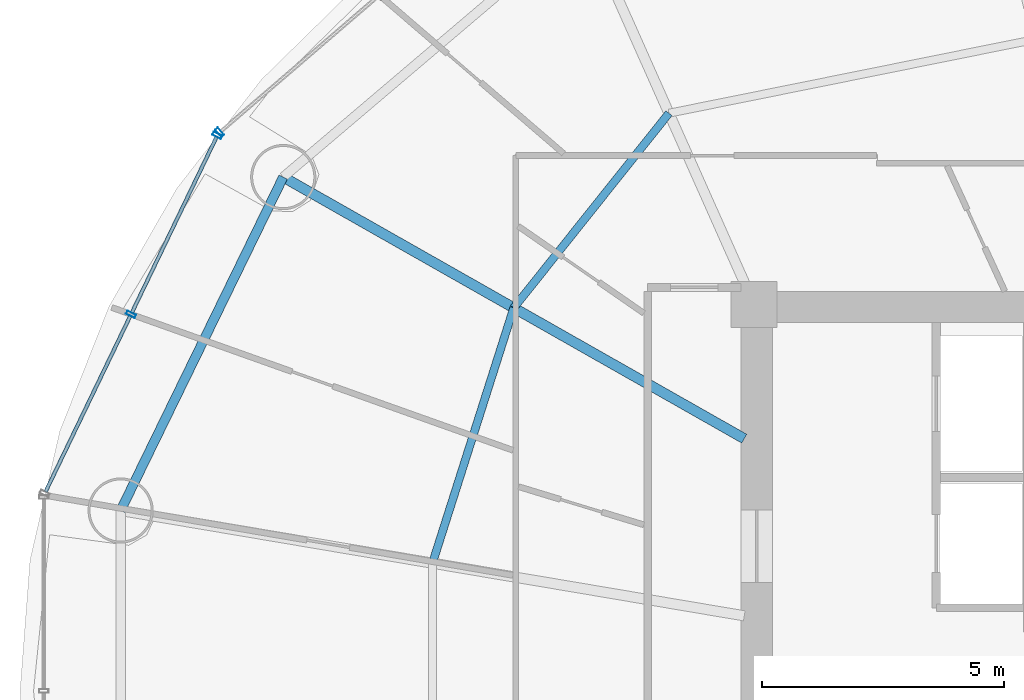
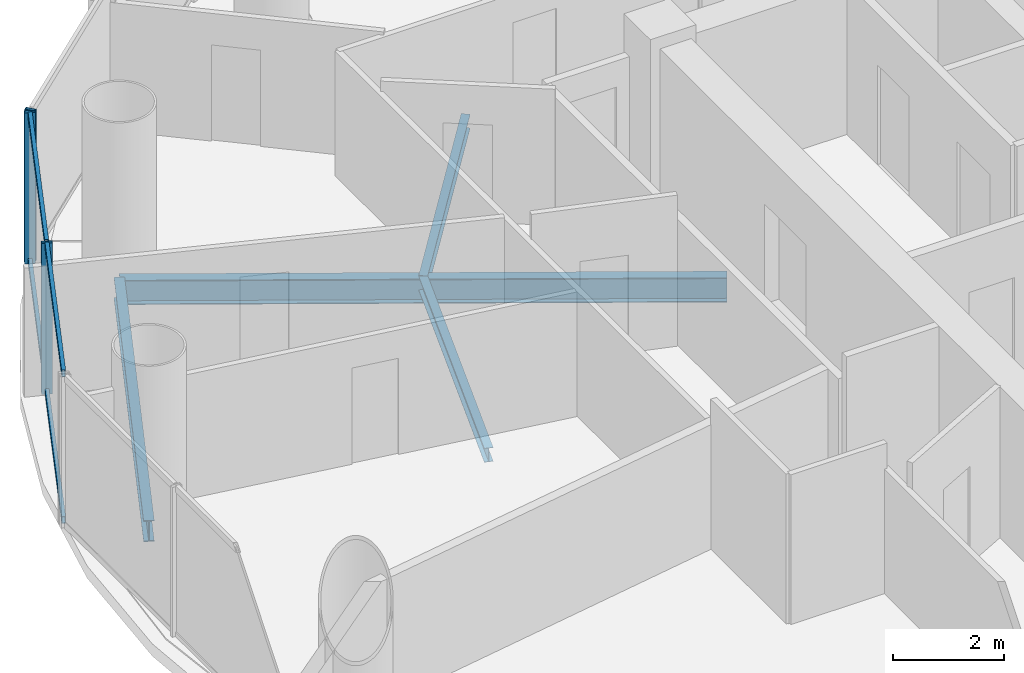
# One storey, part 8 of 26: 7 members, 4 beams, 2 elements without a shape of their own.
"""IFC4 building model written with IfcOpenShell, lengths in metres."""

import ifcopenshell
import ifcopenshell.guid

model = None  # the IFC model being written
_history = None  # IfcOwnerHistory: only IFC2X3 demands one
_inside = {}  # id of a spatial element -> (the spatial element, [elements in it])
_under = {}  # id of a project, library or spatial element -> (it, [spatial elements below it])
_declared = {}  # id of a project -> (the project, [libraries it declares])
_typed = {}  # id of a type object -> (the type object, [elements of that type])
_made_of = {}  # id of a material, layer set ... -> (it, [elements and type objects made of it])


def new_model(schema):
    """Start an empty IFC model of exactly this schema.

    Asked for "IFC4X3", IfcOpenShell would pick the latest addendum, in which some entities
    have other attributes; the version numbers below select the first issue.
    IFC2X3 requires an IfcOwnerHistory on every rooted entity: one is made here for all.
    """
    global model, _history
    if schema == "IFC4X3":
        model = ifcopenshell.file(schema_version=(4, 3, 0, 0))
    else:
        model = ifcopenshell.file(schema=schema)
    _inside.clear()
    _under.clear()
    _declared.clear()
    _typed.clear()
    _made_of.clear()
    _history = None
    if model.schema == "IFC2X3":
        org = make("IfcOrganization", Name="unknown")
        user = make(
            "IfcPersonAndOrganization",
            ThePerson=make("IfcPerson", FamilyName="unknown"),
            TheOrganization=org,
        )
        app = make(
            "IfcApplication",
            ApplicationDeveloper=org,
            Version="unknown",
            ApplicationFullName="unknown",
            ApplicationIdentifier="unknown",
        )
        _history = make(
            "IfcOwnerHistory",
            OwningUser=user,
            OwningApplication=app,
            ChangeAction="ADDED",
            CreationDate=0,
        )
    return model


def make(cls, **values):
    """One entity of the class cls with the attributes given. An attribute that is None is left unset."""
    return model.create_entity(
        cls, **{name: value for name, value in values.items() if value is not None}
    )


def rooted(cls, **values):
    """An entity with a GlobalId (a new one), such as an element, a storey or a relation."""
    return make(cls, GlobalId=ifcopenshell.guid.new(), OwnerHistory=_history, **values)


def si_unit(unit_type, name, prefix=None):
    """IfcSIUnit, for example si_unit("LENGTHUNIT", "METRE", prefix="MILLI")."""
    return make("IfcSIUnit", UnitType=unit_type, Prefix=prefix, Name=name)


def assignment(units):
    """IfcUnitAssignment: the units of a project."""
    return None if units is None else make("IfcUnitAssignment", Units=units)


def point(xyz):
    """IfcCartesianPoint."""
    return None if xyz is None else make("IfcCartesianPoint", Coordinates=xyz)


def direction(xyz):
    """IfcDirection."""
    return None if xyz is None else make("IfcDirection", DirectionRatios=xyz)


def frame(location, z_axis=None, x_axis=None):
    """IfcAxis2Placement3D, a coordinate frame: its origin and axes. An axis left out is left unset."""
    return make(
        "IfcAxis2Placement3D",
        Location=point(location),
        Axis=direction(z_axis),
        RefDirection=direction(x_axis),
    )


def frame_2d(location, x_axis=None):
    """IfcAxis2Placement2D, a coordinate frame in the plane: its origin and x axis."""
    return make(
        "IfcAxis2Placement2D", Location=point(location), RefDirection=direction(x_axis)
    )


def origin():
    """The frame at (0, 0, 0) with its axes left unset."""
    return frame((0.0, 0.0, 0.0))


def origin_2d():
    """The frame at (0, 0) in the plane with its x axis left unset."""
    return frame_2d((0.0, 0.0))


def place(relative_to, where):
    """IfcLocalPlacement: puts the frame where relative to a parent placement (None: the world)."""
    return make(
        "IfcLocalPlacement", PlacementRelTo=relative_to, RelativePlacement=where
    )


def context(
    kind, dimensions, precision=None, world=None, true_north=None, identifier=None
):
    """IfcGeometricRepresentationContext, for example the 3D "Model" context."""
    return make(
        "IfcGeometricRepresentationContext",
        ContextIdentifier=identifier,
        ContextType=kind,
        CoordinateSpaceDimension=dimensions,
        Precision=precision,
        WorldCoordinateSystem=world,
        TrueNorth=true_north,
    )


def subcontext(parent, identifier, kind, view, scale=None):
    """IfcGeometricRepresentationSubContext, for example "Body" below "Model"."""
    return make(
        "IfcGeometricRepresentationSubContext",
        ContextIdentifier=identifier,
        ContextType=kind,
        ParentContext=parent,
        TargetScale=scale,
        TargetView=view,
    )


def project(units=None, contexts=None):
    """IfcProject with its units and contexts."""
    return rooted(
        "IfcProject",
        Name="project",
        RepresentationContexts=contexts,
        UnitsInContext=assignment(units),
    )


def spatial(cls, under=None, at=None, **own):
    """A site, building, storey or space (cls), placed at a placement, below another one or the project."""
    s = rooted(cls, ObjectPlacement=at, **own)
    if under is not None:
        _under.setdefault(under.id(), (under, []))[1].append(s)
    return s


def profile(cls, at=None, kind="AREA", **sizes):
    """A parametric profile (cls). Its sizes go by their IFC names, for example OverallWidth=200.0."""
    return make(cls, ProfileType=kind, Position=at, **sizes)


def hollow_rectangle(**sizes):
    """IfcRectangleHollowProfileDef."""
    return profile("IfcRectangleHollowProfileDef", **sizes)


def i_section(**sizes):
    """IfcIShapeProfileDef."""
    return profile("IfcIShapeProfileDef", **sizes)


def extrude(swept, where, along, depth):
    """IfcExtrudedAreaSolid: the profile swept, set in the frame where, extruded along a direction by depth."""
    return make(
        "IfcExtrudedAreaSolid",
        SweptArea=swept,
        Position=where,
        ExtrudedDirection=direction(along),
        Depth=depth,
    )


def shape(context_of_items, identifier, shape_type, items):
    """IfcShapeRepresentation: the items that make up one representation, for example the "Body"."""
    return make(
        "IfcShapeRepresentation",
        ContextOfItems=context_of_items,
        RepresentationIdentifier=identifier,
        RepresentationType=shape_type,
        Items=items,
    )


def source(mapping_origin, context_of_items, identifier, shape_type, items):
    """IfcRepresentationMap: a shape defined once, which mapped items show again and again."""
    return make(
        "IfcRepresentationMap",
        MappingOrigin=mapping_origin,
        MappedRepresentation=shape(context_of_items, identifier, shape_type, items),
    )


def transform(
    local_origin,
    x_axis=None,
    y_axis=None,
    z_axis=None,
    scale=None,
    scale2=None,
    scale3=None,
    uniform=True,
):
    """IfcCartesianTransformationOperator3D, or its non-uniform kind. x_axis, y_axis, z_axis: its Axis1, 2, 3."""
    if uniform:
        return make(
            "IfcCartesianTransformationOperator3D",
            Axis1=direction(x_axis),
            Axis2=direction(y_axis),
            LocalOrigin=point(local_origin),
            Scale=scale,
            Axis3=direction(z_axis),
        )
    return make(
        "IfcCartesianTransformationOperator3DnonUniform",
        Axis1=direction(x_axis),
        Axis2=direction(y_axis),
        LocalOrigin=point(local_origin),
        Scale=scale,
        Axis3=direction(z_axis),
        Scale2=scale2,
        Scale3=scale3,
    )


def mapped(mapping_source, mapping_target):
    """IfcMappedItem: shows the shape of a source again, moved by a transform."""
    return make(
        "IfcMappedItem", MappingSource=mapping_source, MappingTarget=mapping_target
    )


def material(Name=None, Category=None):
    """IfcMaterial."""
    return make("IfcMaterial", Name=Name, Category=Category)


def material_profile(
    of_material, cross_section, Name=None, Category=None, Priority=None
):
    """IfcMaterialProfile: a cross section and its material."""
    return make(
        "IfcMaterialProfile",
        Name=Name,
        Material=of_material,
        Profile=cross_section,
        Priority=Priority,
        Category=Category,
    )


def profile_set(profiles, Name=None, composite=None):
    """IfcMaterialProfileSet."""
    return make(
        "IfcMaterialProfileSet",
        Name=Name,
        MaterialProfiles=profiles,
        CompositeProfile=composite,
    )


def made_of(thing, what):
    """Note that an element or type object is made of a material, layer set ...; save() writes the relation."""
    if what is not None:
        _made_of.setdefault(what.id(), (what, []))[1].append(thing)
    return thing


def type_object(cls, material=None, **own):
    """A type object (cls), such as IfcWallType, which elements share."""
    return made_of(rooted(cls, **own), material)


def element(
    cls,
    number,
    at=None,
    inside=None,
    cuts=None,
    type_object=None,
    material=None,
    context=None,
    identifier="Body",
    shape_type=None,
    held_by="IfcProductDefinitionShape",
    body=None,
    shapes=None,
    **own,
):
    """One element of the class cls, such as IfcWall. Its Tag is "e" and its number.

    at: its placement. inside: the storey or other place that contains it. cuts: it is an
    opening in that element (IfcRelVoidsElement). A single representation is given by context,
    identifier, shape_type and body (its items); several are given by shapes. held_by: the class
    of the entity that holds the representations. save() writes the other relations.
    """
    e = rooted(cls, Tag="e%d" % number, ObjectPlacement=at, **own)
    if body is not None:
        shapes = [shape(context, identifier, shape_type, body)]
    if shapes is not None:
        e.Representation = make(held_by, Representations=shapes)
    if inside is not None:
        _inside.setdefault(inside.id(), (inside, []))[1].append(e)
    if cuts is not None:
        rooted(
            "IfcRelVoidsElement", RelatingBuildingElement=cuts, RelatedOpeningElement=e
        )
    if type_object is not None:
        _typed.setdefault(type_object.id(), (type_object, []))[1].append(e)
    return made_of(e, material)


def aggregate(whole, parts):
    """IfcRelAggregates: a whole, such as a stair, and the parts it consists of."""
    return rooted("IfcRelAggregates", RelatingObject=whole, RelatedObjects=parts)


def save(model, path):
    """Write the relations noted so far, then the file.

    IfcRelAggregates (storeys below a building ...), IfcRelContainedInSpatialStructure (elements
    in a storey), IfcRelDefinesByType, IfcRelAssociatesMaterial and IfcRelDeclares: one each for
    every whole, place, type object, material and project.
    """
    for whole, parts in _under.values():
        aggregate(whole, parts)
    for where, things in _inside.values():
        rooted(
            "IfcRelContainedInSpatialStructure",
            RelatedElements=things,
            RelatingStructure=where,
        )
    for kind, things in _typed.values():
        rooted("IfcRelDefinesByType", RelatedObjects=things, RelatingType=kind)
    for what, things in _made_of.values():
        rooted("IfcRelAssociatesMaterial", RelatedObjects=things, RelatingMaterial=what)
    for by, libraries in _declared.values():
        rooted("IfcRelDeclares", RelatingContext=by, RelatedDefinitions=libraries)
    model.write(path)


model = new_model("IFC4")

# Units and contexts
model_context = context("Model", 3, precision=1e-05, world=origin(), true_north=direction((-0.2419218956, 0.970295726276)))
body_context = subcontext(model_context, "Body", "Model", "MODEL_VIEW")
ifc_project = project(units=[si_unit("LENGTHUNIT", "METRE"), si_unit("AREAUNIT", "SQUARE_METRE"), si_unit("VOLUMEUNIT", "CUBIC_METRE"), si_unit("PLANEANGLEUNIT", "RADIAN"), si_unit("MASSUNIT", "GRAM", prefix="KILO")], contexts=[model_context])

# Site, building, storey
site_placement = place(None, origin())
site = spatial("IfcSite", under=ifc_project, at=site_placement, CompositionType="ELEMENT")
building_placement = place(site_placement, origin())
building = spatial("IfcBuilding", under=site, at=building_placement, Name="Cobrevalo Terracotta Tower", CompositionType="ELEMENT")
storey_placement = place(building_placement, frame((0.0, 0.0, 139.0)))
storey = spatial("IfcBuildingStorey", under=building, at=storey_placement, Name="L36", CompositionType="ELEMENT", Elevation=139.0)

# Beams
ifc_material_1 = material(Name="Steel S355", Category="steel")
ifc_material_profile_1 = material_profile(ifc_material_1, i_section(OverallWidth=0.2109375, OverallDepth=0.5390625, WebThickness=0.01171875, FlangeThickness=0.018798828125, at=origin_2d()), Name="W 530x109")
ifc_profile_set_1 = profile_set([ifc_material_profile_1], Name="Steel S355")
beam_type_1 = type_object("IfcBeamType", Name="Structural Beam W 530x109 (Steel S355)", PredefinedType="BEAM", material=ifc_profile_set_1)
beam_1_placement = place(storey_placement, frame((19.250244140625, 37.439208984375, -0.53955078125), z_axis=(0.869734177783, -0.493520475762, 0.0), x_axis=(0.493520475762, 0.869734177783, 0.0)))
element("IfcBeam", 1, at=beam_1_placement, inside=storey, type_object=beam_type_1, Name="L36 radial floor girder 07", PredefinedType="BEAM", context=body_context, shape_type="SweptSolid", body=[
    extrude(i_section(OverallWidth=0.2109375, OverallDepth=0.5390625, WebThickness=0.01171875, FlangeThickness=0.018798828125, at=origin_2d()), origin(), (0.0, 0.0, 1.0), 10.974365234375),
])
ifc_material_profile_2 = material_profile(ifc_material_1, i_section(OverallWidth=0.1650390625, OverallDepth=0.31005859375, WebThickness=0.005859375, FlangeThickness=0.009765625, at=origin_2d()), Name="W 310x38.7")
ifc_profile_set_2 = profile_set([ifc_material_profile_2], Name="Steel S355")
beam_type_2 = type_object("IfcBeamType", Name="Structural Joist W 310x38.7 (Steel S355)", PredefinedType="JOIST", material=ifc_profile_set_2)
beam_2_placement = place(storey_placement, frame((27.23583984375, 38.76123046875, -0.425048828125), z_axis=(-0.62340602772, -0.781898282773, 0.0), x_axis=(0.781898282773, -0.62340602772, 0.0)))
element("IfcBeam", 2, at=beam_2_placement, inside=storey, type_object=beam_type_2, Name="L36 circumferential secondary floor joist 06", PredefinedType="JOIST", context=body_context, shape_type="SweptSolid", body=[
    extrude(i_section(OverallWidth=0.1650390625, OverallDepth=0.31005859375, WebThickness=0.005859375, FlangeThickness=0.009765625, at=origin_2d()), origin(), (0.0, 0.0, 1.0), 5.154052734375),
])
beam_3_placement = place(storey_placement, frame((24.022705078125, 34.731201171875, -0.425048828125), z_axis=(-0.303497928386, -0.952832098255, 0.0), x_axis=(0.952832098255, -0.303497928386, 0.0)))
element("IfcBeam", 3, at=beam_3_placement, inside=storey, type_object=beam_type_2, Name="L36 circumferential secondary floor joist 07", PredefinedType="JOIST", context=body_context, shape_type="SweptSolid", body=[
    extrude(i_section(OverallWidth=0.1650390625, OverallDepth=0.31005859375, WebThickness=0.005859375, FlangeThickness=0.009765625, at=origin_2d()), origin(), (0.0, 0.0, 1.0), 5.54736328125),
])
ifc_material_profile_3 = material_profile(ifc_material_1, i_section(OverallWidth=0.194091796875, OverallDepth=0.468994140625, WebThickness=0.011474609375, FlangeThickness=0.0205078125, at=origin_2d()), Name="W 460x106")
ifc_profile_set_3 = profile_set([ifc_material_profile_3], Name="Steel S355")
beam_type_3 = type_object("IfcBeamType", Name="Structural Spandrel W 460x106 (Steel S355)", PredefinedType="SPANDREL", material=ifc_profile_set_3)
beam_4_placement = place(storey_placement, frame((19.250244140625, 37.439208984375, -0.50439453125), z_axis=(-0.438367894028, -0.89879563277, 0.0), x_axis=(0.89879563277, -0.438367894028, 0.0)))
element("IfcBeam", 4, at=beam_4_placement, inside=storey, type_object=beam_type_3, Name="L36 perimeter ring spandrel 07", PredefinedType="SPANDREL", context=body_context, shape_type="SweptSolid", body=[
    extrude(i_section(OverallWidth=0.194091796875, OverallDepth=0.468994140625, WebThickness=0.011474609375, FlangeThickness=0.0205078125, at=origin_2d()), origin(), (0.0, 0.0, 1.0), 7.6806640625),
])

# Curtain wall, member
ifc_material_2 = material(Name="Anodized aluminium", Category="aluminium")
curtain_wall_type = type_object("IfcCurtainWallType", Name="Mid-tower high-wind unitised curtain wall CW-U2", PredefinedType="NOTDEFINED", material=ifc_material_2)
curtain_wall_1_placement = place(storey_placement, origin())
curtain_wall_1 = element("IfcCurtainWall", 5, at=curtain_wall_1_placement, inside=storey, type_object=curtain_wall_type, Name="L36 curtain wall CW-L36-S06", PredefinedType="NOTDEFINED")
ifc_material_profile_4 = material_profile(ifc_material_2, hollow_rectangle(XDim=0.074951171875, YDim=0.199951171875, WallThickness=0.0048828125, at=origin_2d()), Name="CWM 75x200")
ifc_profile_set_4 = profile_set([ifc_material_profile_4], Name="Anodized aluminium")
member_type_1 = type_object("IfcMemberType", Name="Lower/mid tower unitised mullion 75x200", PredefinedType="MULLION", material=ifc_profile_set_4)
shared_shape_1 = source(origin(), body_context, "Body", "SweptSolid", [
    extrude(hollow_rectangle(XDim=0.074951171875, YDim=0.199951171875, WallThickness=0.0048828125, at=origin_2d()), origin(), (0.0, 0.0, 1.0), 3.330078125),
])
member_1_placement = place(storey_placement, frame((17.933837890625, 38.365234375, 0.0), z_axis=(0.0, 0.0, 1.0), x_axis=(-0.758441546142, -0.65174106905, 0.0)))
member_1 = element("IfcMember", 6, at=member_1_placement, type_object=member_type_1, Name="CW-L36-S06 vertical mullion 03", PredefinedType="MULLION", context=body_context, shape_type="MappedRepresentation", body=[
    mapped(shared_shape_1, transform((0.0, 0.0, 0.0), scale=1.0)),
])
aggregate(curtain_wall_1, [member_1])

# Curtain wall, members
curtain_wall_2_placement = place(storey_placement, origin())
curtain_wall_2 = element("IfcCurtainWall", 7, at=curtain_wall_2_placement, inside=storey, type_object=curtain_wall_type, Name="L36 curtain wall CW-L36-S07", PredefinedType="NOTDEFINED")
member_2_placement = place(storey_placement, frame((17.885986328125, 38.30322265625, 0.0), z_axis=(0.0, 0.0, 1.0), x_axis=(-0.434209440271, -0.900811945957, 0.0)))
member_2 = element("IfcMember", 8, at=member_2_placement, type_object=member_type_1, Name="CW-L36-S07 vertical mullion 01", PredefinedType="MULLION", context=body_context, shape_type="MappedRepresentation", body=[
    mapped(shared_shape_1, transform((0.0, 0.0, 0.0), scale=1.0)),
])
member_3_placement = place(storey_placement, frame((16.098876953125, 34.595703125, 0.0), z_axis=(0.0, 0.0, 1.0), x_axis=(-0.434209440271, -0.900811945957, 0.0)))
member_3 = element("IfcMember", 9, at=member_3_placement, type_object=member_type_1, Name="CW-L36-S07 vertical mullion 02", PredefinedType="MULLION", context=body_context, shape_type="MappedRepresentation", body=[
    mapped(shared_shape_1, transform((0.0, 0.0, 0.0), scale=1.0)),
])
ifc_material_profile_5 = material_profile(ifc_material_2, hollow_rectangle(XDim=0.074951171875, YDim=0.14990234375, WallThickness=0.00439453125, at=origin_2d()), Name="CWT 75x150")
ifc_profile_set_5 = profile_set([ifc_material_profile_5], Name="Anodized aluminium")
member_type_2 = type_object("IfcMemberType", Name="Tower unitised aluminium transom 75x150", PredefinedType="USERDEFINED", material=ifc_profile_set_5)
shared_shape_2 = source(origin(), body_context, "Body", "SweptSolid", [
    extrude(hollow_rectangle(XDim=0.074951171875, YDim=0.14990234375, WallThickness=0.00439453125, at=origin_2d()), origin(), (0.0, 0.0, 1.0), 4.035888671875),
])
member_4_placement = place(storey_placement, frame((17.86865234375, 38.26708984375, 0.050048828125), z_axis=(-0.434221176581, -0.900806288726, 0.0), x_axis=(0.900806288726, -0.434221176581, 0.0)))
member_4 = element("IfcMember", 10, at=member_4_placement, type_object=member_type_2, Name="CW-L36-S07 transom B01-T1", ObjectType="TRANSOM", PredefinedType="USERDEFINED", context=body_context, shape_type="MappedRepresentation", body=[
    mapped(shared_shape_2, transform((0.0, 0.0, 0.0), scale=1.0)),
])
member_5_placement = place(storey_placement, frame((17.86865234375, 38.26708984375, 3.280029296875), z_axis=(-0.434221176581, -0.900806288726, 0.0), x_axis=(0.900806288726, -0.434221176581, 0.0)))
member_5 = element("IfcMember", 11, at=member_5_placement, type_object=member_type_2, Name="CW-L36-S07 transom B01-T2", ObjectType="TRANSOM", PredefinedType="USERDEFINED", context=body_context, shape_type="MappedRepresentation", body=[
    mapped(shared_shape_2, transform((0.0, 0.0, 0.0), scale=1.0)),
])
member_6_placement = place(storey_placement, frame((16.08154296875, 34.5595703125, 0.050048828125), z_axis=(-0.434221176581, -0.900806288726, 0.0), x_axis=(0.900806288726, -0.434221176581, 0.0)))
member_6 = element("IfcMember", 12, at=member_6_placement, type_object=member_type_2, Name="CW-L36-S07 transom B02-T1", ObjectType="TRANSOM", PredefinedType="USERDEFINED", context=body_context, shape_type="MappedRepresentation", body=[
    mapped(shared_shape_2, transform((0.0, 0.0, 0.0), scale=1.0)),
])
member_7_placement = place(storey_placement, frame((16.08154296875, 34.5595703125, 3.280029296875), z_axis=(-0.434221176581, -0.900806288726, 0.0), x_axis=(0.900806288726, -0.434221176581, 0.0)))
member_7 = element("IfcMember", 13, at=member_7_placement, type_object=member_type_2, Name="CW-L36-S07 transom B02-T2", ObjectType="TRANSOM", PredefinedType="USERDEFINED", context=body_context, shape_type="MappedRepresentation", body=[
    mapped(shared_shape_2, transform((0.0, 0.0, 0.0), scale=1.0)),
])
aggregate(curtain_wall_2, [member_2, member_3, member_4, member_5, member_6, member_7])

save(model, "model.ifc")
